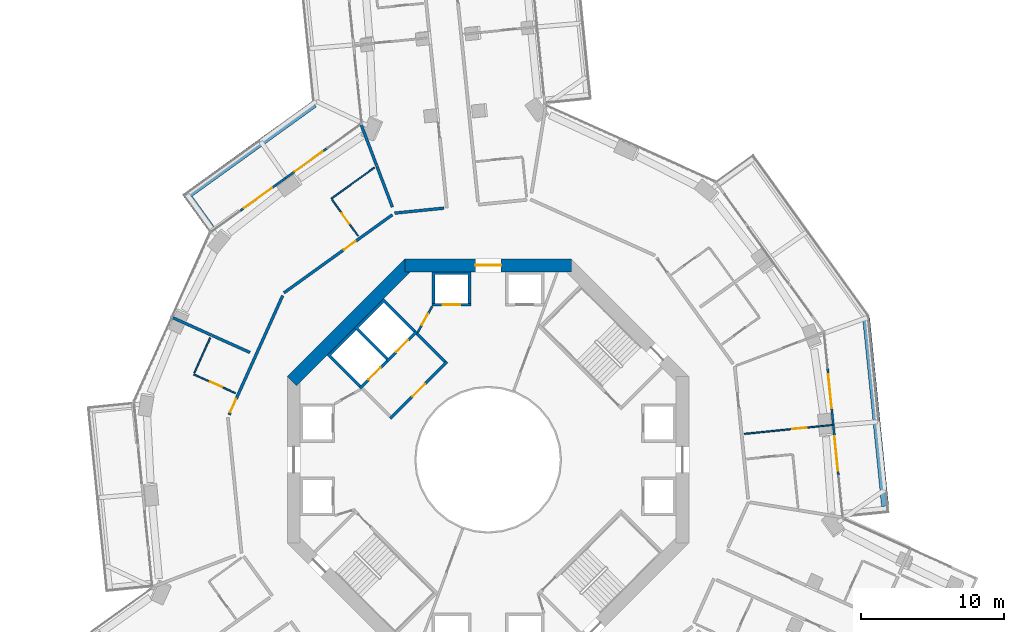
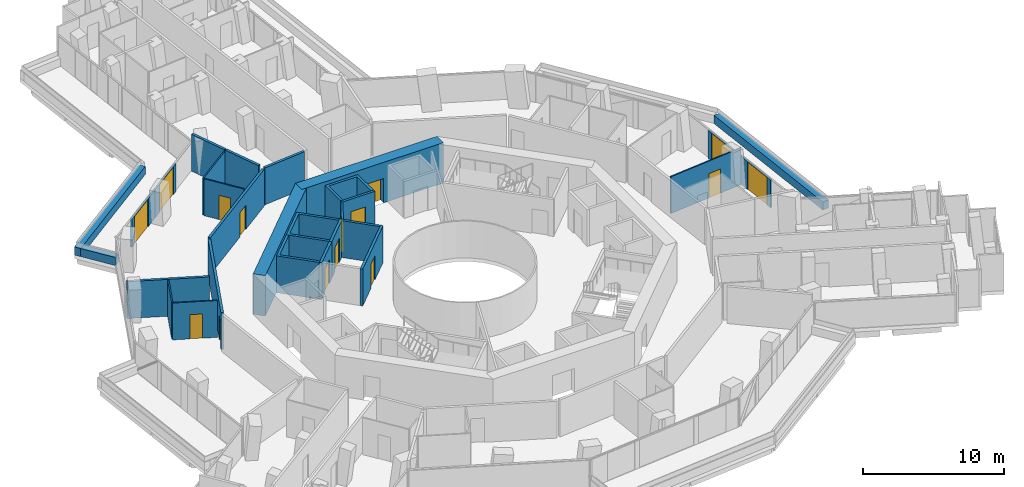
# One storey, part 21 of 26: 30 walls, 15 doors, 15 openings.
"""IFC4 building model written with IfcOpenShell, lengths in metres."""

from ifc_helpers import new_model, si_unit, direction, frame, frame_2d, origin, place, context, subcontext, project, spatial, polyline, rectangle, outline, extrude, material, layer, layer_set, type_object, element, fill, save


model = new_model("IFC4")

# Units and contexts
model_context = context("Model", 3, precision=1e-05, world=origin(), true_north=direction((0.0, 1.0)))
body_context = subcontext(model_context, "Body", "Model", "MODEL_VIEW")
ifc_project = project(units=[si_unit("LENGTHUNIT", "METRE"), si_unit("AREAUNIT", "SQUARE_METRE"), si_unit("VOLUMEUNIT", "CUBIC_METRE"), si_unit("PLANEANGLEUNIT", "RADIAN"), si_unit("MASSUNIT", "GRAM", prefix="KILO")], contexts=[model_context])

# Site, building, storey
site_placement = place(None, origin())
site = spatial("IfcSite", under=ifc_project, at=site_placement, CompositionType="ELEMENT")
building_placement = place(site_placement, origin())
building = spatial("IfcBuilding", under=site, at=building_placement, Name="Verdalira Terraces Hotel", CompositionType="ELEMENT")
storey_placement = place(building_placement, frame((0.0, 0.0, 56.5)))
storey = spatial("IfcBuildingStorey", under=building, at=storey_placement, Name="L12", CompositionType="ELEMENT", Elevation=56.5)

# Walls
ifc_material_1 = material(Name="Concrete C40", Category="concrete")
ifc_layer_1 = layer(ifc_material_1, 0.5)
ifc_layer_set_1 = layer_set([ifc_layer_1], Name="Balcony planter trough with tree")
wall_type_1 = type_object("IfcWallType", Name="Balcony planter trough with tree", PredefinedType="SOLIDWALL", material=ifc_layer_set_1)
wall_1_placement = place(storey_placement, frame((-12.125, 24.797607, 0.0), z_axis=(0.0, 0.0, 1.0), x_axis=(-0.811471638, -0.584391804, 0.0)))
element("IfcWall", 1, at=wall_1_placement, inside=storey, type_object=wall_type_1, Name="Balcony planter", PredefinedType="SOLIDWALL", context=body_context, shape_type="SweptSolid", body=[
    extrude(rectangle(XDim=11.152344, YDim=0.5, at=frame_2d((5.576172, 0.0))), origin(), (0.0, 0.0, 1.0), 0.699951),
])
wall_2_placement = place(storey_placement, frame((-20.825928, 18.223389, 0.0), z_axis=(0.0, 0.0, 1.0), x_axis=(0.584416714, -0.811453698, 0.0)))
element("IfcWall", 2, at=wall_2_placement, inside=storey, type_object=wall_type_1, Name="Balcony planter", PredefinedType="SOLIDWALL", context=body_context, shape_type="SweptSolid", body=[
    extrude(rectangle(XDim=2.698975, YDim=0.5, at=frame_2d((1.349609, 0.0))), origin(), (0.0, 0.0, 1.0), 0.699951),
])
wall_3_placement = place(storey_placement, frame((27.673096, -3.239014, 0.0), z_axis=(0.0, 0.0, 1.0), x_axis=(-0.100362834, 0.994950904, 0.0)))
element("IfcWall", 3, at=wall_3_placement, inside=storey, type_object=wall_type_1, Name="Balcony planter", PredefinedType="SOLIDWALL", context=body_context, shape_type="SweptSolid", body=[
    extrude(rectangle(XDim=13.223389, YDim=0.5, at=frame_2d((6.611816, 0.0))), origin(), (0.0, 0.0, 1.0), 0.699951),
])
ifc_material_2 = material(Name="Moisture-resistant gypsum board partition")
ifc_layer_2 = layer(ifc_material_2, 0.10009765625)
ifc_layer_set_2 = layer_set([ifc_layer_2], Name="Bathroom partition 100 mm")
wall_type_2 = type_object("IfcWallType", Name="Bathroom partition 100 mm", PredefinedType="PARTITIONING", material=ifc_layer_set_2)
wall_4_placement = place(storey_placement, frame((-20.483398, 6.04248, 0.0), z_axis=(0.0, 0.0, 1.0), x_axis=(0.410530105, 0.911847045, 0.0)))
element("IfcWall", 4, at=wall_4_placement, inside=storey, type_object=wall_type_2, Name="Bathroom partition", PredefinedType="PARTITIONING", context=body_context, shape_type="SweptSolid", body=[
    extrude(rectangle(XDim=2.699951, YDim=0.100098, at=frame_2d((1.350098, 0.0))), origin(), (0.0, 0.0, 1.0), 3.189941),
])

# Wall, opening, door
wall_5_placement = place(storey_placement, frame((-20.524658, 5.951416, 0.0), z_axis=(0.0, 0.0, 1.0), x_axis=(0.911818699, -0.410593059, 0.0)))
wall_5 = element("IfcWall", 5, at=wall_5_placement, inside=storey, type_object=wall_type_2, Name="Bathroom partition", PredefinedType="PARTITIONING", context=body_context, shape_type="SweptSolid", body=[
    extrude(rectangle(XDim=3.200195, YDim=0.100098, at=frame_2d((1.600098, 0.0))), origin(), (0.0, 0.0, 1.0), 3.189941),
])
opening_1_placement = place(wall_5_placement, frame((1.25, 0.0, 0.0)))
opening_1 = element("IfcOpeningElement", 6, at=opening_1_placement, cuts=wall_5, Name="Opening L12-115", PredefinedType="OPENING", context=body_context, shape_type="SweptSolid", body=[
    extrude(rectangle(XDim=0.899902, YDim=2.100098, at=frame_2d((0.449951, 1.050049))), frame((0.0, 0.060059, 0.0), z_axis=(0.0, -1.0, 0.0), x_axis=(1.0, 0.0, 0.0)), (0.0, 0.0, 1.0), 0.120117),
])
ifc_material_3 = material(Name="Timber door", Category="wood")
door_type_1 = type_object("IfcDoorType", Name="Bathroom door 900 x 2100", OperationType="NOTDEFINED", PredefinedType="DOOR", material=ifc_material_3)
door_1_placement = place(opening_1_placement, origin())
door_1 = element("IfcDoor", 7, at=door_1_placement, inside=storey, type_object=door_type_1, Name="Bathroom door 1205", OperationType="SINGLE_SWING_LEFT", OverallHeight=2.10009765625, OverallWidth=0.89990234375, PredefinedType="DOOR", context=body_context, shape_type="SweptSolid", body=[
    extrude(rectangle(XDim=0.899902, YDim=2.100098, at=frame_2d((0.449951, 1.050049))), frame((0.0, 0.024902, 0.0), z_axis=(0.0, -1.0, 0.0), x_axis=(1.0, 0.0, 0.0)), (0.0, 0.0, 1.0), 0.050049),
])
fill(opening_1, door_1)

wall_6_placement = place(storey_placement, frame((-10.879395, 18.115723, 0.0), z_axis=(0.0, 0.0, 1.0), x_axis=(0.584362816, -0.811492514, 0.0)))
wall_6 = element("IfcWall", 8, at=wall_6_placement, inside=storey, type_object=wall_type_2, Name="Bathroom partition", PredefinedType="PARTITIONING", context=body_context, shape_type="SweptSolid", body=[
    extrude(rectangle(XDim=3.100098, YDim=0.100098, at=frame_2d((1.550049, 0.0))), origin(), (0.0, 0.0, 1.0), 3.189941),
])
opening_2_placement = place(wall_6_placement, frame((1.149902, 0.0, 0.0)))
opening_2 = element("IfcOpeningElement", 9, at=opening_2_placement, cuts=wall_6, Name="Opening L12-113", PredefinedType="OPENING", context=body_context, shape_type="SweptSolid", body=[
    extrude(rectangle(XDim=0.899902, YDim=2.100098, at=frame_2d((0.449951, 1.050049))), frame((0.0, 0.060059, 0.0), z_axis=(0.0, -1.0, 0.0), x_axis=(1.0, 0.0, 0.0)), (0.0, 0.0, 1.0), 0.120117),
])
door_2_placement = place(opening_2_placement, origin())
door_2 = element("IfcDoor", 10, at=door_2_placement, inside=storey, type_object=door_type_1, Name="Bathroom door 1204", OperationType="SINGLE_SWING_LEFT", OverallHeight=2.10009765625, OverallWidth=0.89990234375, PredefinedType="DOOR", context=body_context, shape_type="SweptSolid", body=[
    extrude(rectangle(XDim=0.899902, YDim=2.100098, at=frame_2d((0.449951, 1.050049))), frame((0.0, 0.024902, 0.0), z_axis=(0.0, -1.0, 0.0), x_axis=(1.0, 0.0, 0.0)), (0.0, 0.0, 1.0), 0.050049),
])
fill(opening_2, door_2)

# Wall
wall_7_placement = place(storey_placement, frame((-10.937988, 18.197021, 0.0), z_axis=(0.0, 0.0, 1.0), x_axis=(0.811491834, 0.584363759, 0.0)))
element("IfcWall", 11, at=wall_7_placement, inside=storey, type_object=wall_type_2, Name="Bathroom partition", PredefinedType="PARTITIONING", context=body_context, shape_type="SweptSolid", body=[
    extrude(rectangle(XDim=3.704102, YDim=0.100098, at=frame_2d((1.852051, 0.0))), origin(), (0.0, 0.0, 1.0), 3.189941),
])

# Wall, opening, door
wall_8_placement = place(storey_placement, frame((23.986572, 2.419678, 0.0), z_axis=(0.0, 0.0, 1.0), x_axis=(-0.994947568, -0.100395898, 0.0)))
wall_8 = element("IfcWall", 12, at=wall_8_placement, inside=storey, type_object=wall_type_2, Name="Bathroom partition", PredefinedType="PARTITIONING", context=body_context, shape_type="SweptSolid", body=[
    extrude(rectangle(XDim=6.149902, YDim=0.100098, at=frame_2d((3.074951, 0.0))), origin(), (0.0, 0.0, 1.0), 3.189941),
])
opening_3_placement = place(wall_8_placement, frame((1.800049, 0.0, 0.0)))
opening_3 = element("IfcOpeningElement", 13, at=opening_3_placement, cuts=wall_8, Name="Opening L12-133", PredefinedType="OPENING", context=body_context, shape_type="SweptSolid", body=[
    extrude(rectangle(XDim=1.0, YDim=2.100098, at=frame_2d((0.5, 1.050049))), frame((0.0, 0.060059, 0.0), z_axis=(0.0, -1.0, 0.0), x_axis=(1.0, 0.0, 0.0)), (0.0, 0.0, 1.0), 0.120117),
])
ifc_material_4 = material(Name="Timber door", Category="wood")
door_type_2 = type_object("IfcDoorType", Name="Suite internal door 1000 x 2100", OperationType="NOTDEFINED", PredefinedType="DOOR", material=ifc_material_4)
door_3_placement = place(opening_3_placement, origin())
door_3 = element("IfcDoor", 14, at=door_3_placement, inside=storey, type_object=door_type_2, Name="Suite internal door 1214", OperationType="SINGLE_SWING_LEFT", OverallHeight=2.10009765625, OverallWidth=1.0, PredefinedType="DOOR", context=body_context, shape_type="SweptSolid", body=[
    extrude(rectangle(XDim=1.0, YDim=2.100098, at=frame_2d((0.5, 1.050049))), frame((0.0, 0.024902, 0.0), z_axis=(0.0, -1.0, 0.0), x_axis=(1.0, 0.0, 0.0)), (0.0, 0.0, 1.0), 0.050049),
])
fill(opening_3, door_3)

# Wall
ifc_material_5 = material(Name="Concrete C50", Category="concrete")
ifc_layer_3 = layer(ifc_material_5, 0.199951171875)
ifc_layer_set_3 = layer_set([ifc_layer_3], Name="Core RC wall 200 C50")
wall_type_3 = type_object("IfcWallType", Name="Core RC wall 200 C50", PredefinedType="SOLIDWALL", material=ifc_layer_set_3)
wall_9_placement = place(storey_placement, origin())
element("IfcWall", 15, at=wall_9_placement, inside=storey, type_object=wall_type_3, Name="L12 shaft wall N2", PredefinedType="SOLIDWALL", context=body_context, shape_type="SweptSolid", body=[
    extrude(outline(polyline([(-3.899902, 10.899902), (-3.899902, 13.100098), (-1.199951, 13.100098), (-1.199951, 10.899902), (-1.399902, 10.899902), (-1.399902, 12.899902), (-3.699951, 12.899902), (-3.699951, 10.899902), (-3.899902, 10.899902)])), origin(), (0.0, 0.0, 1.0), 3.189941),
])

# Wall, opening, door
wall_10_placement = place(storey_placement, frame((-1.199951, 10.800049, 0.0), z_axis=(0.0, 0.0, 1.0), x_axis=(-1.0, 0.0, 0.0)))
wall_10 = element("IfcWall", 16, at=wall_10_placement, inside=storey, type_object=wall_type_3, Name="L12 shaft front wall N2", PredefinedType="SOLIDWALL", context=body_context, shape_type="SweptSolid", body=[
    extrude(rectangle(XDim=2.699951, YDim=0.199951, at=frame_2d((1.350098, 0.0))), origin(), (0.0, 0.0, 1.0), 3.189941),
])
opening_4_placement = place(wall_10_placement, frame((0.75, 0.0, 0.0)))
opening_4 = element("IfcOpeningElement", 17, at=opening_4_placement, cuts=wall_10, Name="Opening LD-L12-804", PredefinedType="OPENING", context=body_context, shape_type="SweptSolid", body=[
    extrude(rectangle(XDim=1.199951, YDim=2.100098, at=frame_2d((0.600098, 1.050049))), frame((0.0, 0.109863, 0.0), z_axis=(0.0, -1.0, 0.0), x_axis=(1.0, 0.0, 0.0)), (0.0, 0.0, 1.0), 0.219971),
])
ifc_material_6 = material(Name="Stainless steel", Category="steel")
door_type_3 = type_object("IfcDoorType", Name="Landing door 1200 x 2100", OperationType="NOTDEFINED", PredefinedType="DOOR", material=ifc_material_6)
door_4_placement = place(opening_4_placement, origin())
door_4 = element("IfcDoor", 18, at=door_4_placement, inside=storey, type_object=door_type_3, Name="Lift landing door LR4 L12", OperationType="DOUBLE_DOOR_SLIDING", OverallHeight=2.10009765625, OverallWidth=1.199951171875, PredefinedType="DOOR", context=body_context, shape_type="SweptSolid", body=[
    extrude(rectangle(XDim=1.199951, YDim=2.100098, at=frame_2d((0.600098, 1.050049))), frame((0.0, 0.024902, 0.0), z_axis=(0.0, -1.0, 0.0), x_axis=(1.0, 0.0, 0.0)), (0.0, 0.0, 1.0), 0.050049),
])
fill(opening_4, door_4)

# Wall
wall_11_placement = place(storey_placement, origin())
element("IfcWall", 19, at=wall_11_placement, inside=storey, type_object=wall_type_3, Name="L12 shaft wall F1", PredefinedType="SOLIDWALL", context=body_context, shape_type="SweptSolid", body=[
    extrude(outline(polyline([(-9.33374, 9.192383), (-7.283203, 11.24292), (-5.055908, 9.015625), (-5.197266, 8.874268), (-7.283203, 10.960205), (-9.051025, 9.192383), (-6.965088, 7.106445), (-7.106445, 6.965088), (-9.33374, 9.192383)])), origin(), (0.0, 0.0, 1.0), 3.189941),
])

# Wall, opening, door
wall_12_placement = place(storey_placement, frame((-4.985107, 8.944824, 0.0), z_axis=(0.0, 0.0, 1.0), x_axis=(-0.707106781, -0.707106781, 0.0)))
wall_12 = element("IfcWall", 20, at=wall_12_placement, inside=storey, type_object=wall_type_3, Name="L12 shaft front wall F1", PredefinedType="SOLIDWALL", context=body_context, shape_type="SweptSolid", body=[
    extrude(rectangle(XDim=2.899902, YDim=0.199951, at=frame_2d((1.449951, 0.0))), origin(), (0.0, 0.0, 1.0), 3.189941),
])
opening_5_placement = place(wall_12_placement, frame((0.850098, 0.0, 0.0)))
opening_5 = element("IfcOpeningElement", 21, at=opening_5_placement, cuts=wall_12, Name="Opening LD-L12-807", PredefinedType="OPENING", context=body_context, shape_type="SweptSolid", body=[
    extrude(rectangle(XDim=1.199951, YDim=2.100098, at=frame_2d((0.600098, 1.050049))), frame((0.0, 0.109863, 0.0), z_axis=(0.0, -1.0, 0.0), x_axis=(1.0, 0.0, 0.0)), (0.0, 0.0, 1.0), 0.219971),
])
door_5_placement = place(opening_5_placement, origin())
door_5 = element("IfcDoor", 22, at=door_5_placement, inside=storey, type_object=door_type_3, Name="Lift landing door LF11 L12", OperationType="DOUBLE_DOOR_SLIDING", OverallHeight=2.10009765625, OverallWidth=1.199951171875, PredefinedType="DOOR", context=body_context, shape_type="SweptSolid", body=[
    extrude(rectangle(XDim=1.199951, YDim=2.100098, at=frame_2d((0.600098, 1.050049))), frame((0.0, 0.024902, 0.0), z_axis=(0.0, -1.0, 0.0), x_axis=(1.0, 0.0, 0.0)), (0.0, 0.0, 1.0), 0.050049),
])
fill(opening_5, door_5)

# Wall
wall_13_placement = place(storey_placement, origin())
element("IfcWall", 23, at=wall_13_placement, inside=storey, type_object=wall_type_3, Name="L12 shaft wall F2", PredefinedType="SOLIDWALL", context=body_context, shape_type="SweptSolid", body=[
    extrude(outline(polyline([(-11.24292, 7.283203), (-9.33374, 9.192383), (-9.192383, 9.051025), (-10.960205, 7.283203), (-8.874268, 5.197266), (-9.015625, 5.055908), (-11.24292, 7.283203)])), origin(), (0.0, 0.0, 1.0), 3.189941),
])

# Wall, opening, door
wall_14_placement = place(storey_placement, frame((-7.035645, 6.894287, 0.0), z_axis=(0.0, 0.0, 1.0), x_axis=(-0.707106781, -0.707106781, 0.0)))
wall_14 = element("IfcWall", 24, at=wall_14_placement, inside=storey, type_object=wall_type_3, Name="L12 shaft front wall F2", PredefinedType="SOLIDWALL", context=body_context, shape_type="SweptSolid", body=[
    extrude(rectangle(XDim=2.699951, YDim=0.199951, at=frame_2d((1.350098, 0.0))), origin(), (0.0, 0.0, 1.0), 3.189941),
])
opening_6_placement = place(wall_14_placement, frame((0.649902, 0.0, 0.0)))
opening_6 = element("IfcOpeningElement", 25, at=opening_6_placement, cuts=wall_14, Name="Opening LD-L12-808", PredefinedType="OPENING", context=body_context, shape_type="SweptSolid", body=[
    extrude(rectangle(XDim=1.199951, YDim=2.100098, at=frame_2d((0.600098, 1.050049))), frame((0.0, 0.109863, 0.0), z_axis=(0.0, -1.0, 0.0), x_axis=(1.0, 0.0, 0.0)), (0.0, 0.0, 1.0), 0.219971),
])
door_6_placement = place(opening_6_placement, origin())
door_6 = element("IfcDoor", 26, at=door_6_placement, inside=storey, type_object=door_type_3, Name="Lift landing door LF12 L12", OperationType="DOUBLE_DOOR_SLIDING", OverallHeight=2.10009765625, OverallWidth=1.199951171875, PredefinedType="DOOR", context=body_context, shape_type="SweptSolid", body=[
    extrude(rectangle(XDim=1.199951, YDim=2.100098, at=frame_2d((0.600098, 1.050049))), frame((0.0, 0.024902, 0.0), z_axis=(0.0, -1.0, 0.0), x_axis=(1.0, 0.0, 0.0)), (0.0, 0.0, 1.0), 0.050049),
])
fill(opening_6, door_6)

wall_15_placement = place(storey_placement, frame((-2.86377, 6.823486, 0.0), z_axis=(0.0, 0.0, 1.0), x_axis=(-0.707106781, -0.707106781, 0.0)))
wall_15 = element("IfcWall", 27, at=wall_15_placement, inside=storey, type_object=wall_type_3, Name="L12 fire lobby wall", PredefinedType="SOLIDWALL", context=body_context, shape_type="SweptSolid", body=[
    extrude(rectangle(XDim=5.599854, YDim=0.199951, at=frame_2d((2.799805, 0.0))), origin(), (0.0, 0.0, 1.0), 3.189941),
])
opening_7_placement = place(wall_15_placement, frame((2.199951, 0.0, 0.0)))
opening_7 = element("IfcOpeningElement", 28, at=opening_7_placement, cuts=wall_15, Name="Opening L12-819", PredefinedType="OPENING", context=body_context, shape_type="SweptSolid", body=[
    extrude(rectangle(XDim=1.199951, YDim=2.100098, at=frame_2d((0.600098, 1.050049))), frame((0.0, 0.109863, 0.0), z_axis=(0.0, -1.0, 0.0), x_axis=(1.0, 0.0, 0.0)), (0.0, 0.0, 1.0), 0.219971),
])
ifc_material_7 = material(Name="Steel fire door", Category="steel")
door_type_4 = type_object("IfcDoorType", Name="Lobby door 1200 x 2100", OperationType="NOTDEFINED", PredefinedType="DOOR", material=ifc_material_7)
door_7_placement = place(opening_7_placement, origin())
door_7 = element("IfcDoor", 29, at=door_7_placement, inside=storey, type_object=door_type_4, Name="Fire lobby door L12", OperationType="SINGLE_SWING_LEFT", OverallHeight=2.10009765625, OverallWidth=1.199951171875, PredefinedType="DOOR", context=body_context, shape_type="SweptSolid", body=[
    extrude(rectangle(XDim=1.199951, YDim=2.100098, at=frame_2d((0.600098, 1.050049))), frame((0.0, 0.024902, 0.0), z_axis=(0.0, -1.0, 0.0), x_axis=(1.0, 0.0, 0.0)), (0.0, 0.0, 1.0), 0.050049),
])
fill(opening_7, door_7)

# Wall
wall_16_placement = place(storey_placement, frame((-3.005127, 6.823486, 0.0), z_axis=(0.0, 0.0, 1.0), x_axis=(-0.707106781, 0.707106781, 0.0)))
element("IfcWall", 30, at=wall_16_placement, inside=storey, type_object=wall_type_3, Name="L12 fire lobby wall", PredefinedType="SOLIDWALL", context=body_context, shape_type="SweptSolid", body=[
    extrude(rectangle(XDim=2.800049, YDim=0.199951, at=frame_2d((1.399902, 0.0))), origin(), (0.0, 0.0, 1.0), 3.189941),
])

# Wall, opening, door
ifc_material_8 = material(Name="Gypsum board partition")
ifc_layer_4 = layer(ifc_material_8, 0.14990234375)
ifc_layer_set_4 = layer_set([ifc_layer_4], Name="Core partition 150 mm")
wall_type_4 = type_object("IfcWallType", Name="Core partition 150 mm", PredefinedType="PARTITIONING", material=ifc_layer_set_4)
wall_17_placement = place(storey_placement, frame((-3.899902, 10.699951, 0.0), z_axis=(0.0, 0.0, 1.0), x_axis=(-0.485692555, -0.874129705, 0.0)))
wall_17 = element("IfcWall", 31, at=wall_17_placement, inside=storey, type_object=wall_type_4, Name="Room partition L12", PredefinedType="PARTITIONING", context=body_context, shape_type="SweptSolid", body=[
    extrude(rectangle(XDim=2.088623, YDim=0.149902, at=frame_2d((1.044434, 0.0))), origin(), (0.0, 0.0, 1.0), 3.189941),
])
opening_8_placement = place(wall_17_placement, frame((0.594238, 0.0, 0.0)))
opening_8 = element("IfcOpeningElement", 32, at=opening_8_placement, cuts=wall_17, Name="Opening L12-820", PredefinedType="OPENING", context=body_context, shape_type="SweptSolid", body=[
    extrude(rectangle(XDim=0.899902, YDim=2.100098, at=frame_2d((0.449951, 1.050049))), frame((0.0, 0.084961, 0.0), z_axis=(0.0, -1.0, 0.0), x_axis=(1.0, 0.0, 0.0)), (0.0, 0.0, 1.0), 0.169922),
])
ifc_material_9 = material(Name="Steel fire door", Category="steel")
door_type_5 = type_object("IfcDoorType", Name="Core room door 900 x 2100", OperationType="NOTDEFINED", PredefinedType="DOOR", material=ifc_material_9)
door_8_placement = place(opening_8_placement, origin())
door_8 = element("IfcDoor", 33, at=door_8_placement, inside=storey, type_object=door_type_5, Name="Door L12 room2", OperationType="SINGLE_SWING_LEFT", OverallHeight=2.10009765625, OverallWidth=0.89990234375, PredefinedType="DOOR", context=body_context, shape_type="SweptSolid", body=[
    extrude(rectangle(XDim=0.899902, YDim=2.100098, at=frame_2d((0.449951, 1.050049))), frame((0.0, 0.024902, 0.0), z_axis=(0.0, -1.0, 0.0), x_axis=(1.0, 0.0, 0.0)), (0.0, 0.0, 1.0), 0.050049),
])
fill(opening_8, door_8)

ifc_material_10 = material(Name="Concrete C70", Category="concrete")
ifc_layer_5 = layer(ifc_material_10, 0.89990234375)
ifc_layer_set_5 = layer_set([ifc_layer_5], Name="Core wall 900 C70")
wall_type_5 = type_object("IfcWallType", Name="Core wall 900 C70", PredefinedType="SHEAR", material=ifc_layer_set_5)
wall_18_placement = place(storey_placement, frame((5.799072, 13.550049, 0.0), z_axis=(0.0, 0.0, 1.0), x_axis=(-1.0, 0.0, 0.0)))
wall_18 = element("IfcWall", 34, at=wall_18_placement, inside=storey, type_object=wall_type_5, Name="Core wall CW-L12-3", PredefinedType="SHEAR", context=body_context, shape_type="SweptSolid", body=[
    extrude(rectangle(XDim=11.598145, YDim=0.899902, at=frame_2d((5.799072, 0.0))), origin(), (0.0, 0.0, 1.0), 3.5),
])
opening_9_placement = place(wall_18_placement, frame((4.898926, 0.0, 0.0)))
opening_9 = element("IfcOpeningElement", 35, at=opening_9_placement, cuts=wall_18, Name="Opening L12-813", PredefinedType="OPENING", context=body_context, shape_type="SweptSolid", body=[
    extrude(rectangle(XDim=1.800049, YDim=2.100098, at=frame_2d((0.899902, 1.050049))), frame((0.0, 0.459961, 0.0), z_axis=(0.0, -1.0, 0.0), x_axis=(1.0, 0.0, 0.0)), (0.0, 0.0, 1.0), 0.919922),
])
ifc_material_11 = material(Name="Steel fire door", Category="steel")
door_type_6 = type_object("IfcDoorType", Name="Core entry door pair 1800 x 2100", OperationType="NOTDEFINED", PredefinedType="DOOR", material=ifc_material_11)
door_9_placement = place(opening_9_placement, origin())
door_9 = element("IfcDoor", 36, at=door_9_placement, inside=storey, type_object=door_type_6, Name="Core entry door L12 2", OperationType="DOUBLE_DOOR_SINGLE_SWING", OverallHeight=2.10009765625, OverallWidth=1.800048828125, PredefinedType="DOOR", context=body_context, shape_type="SweptSolid", body=[
    extrude(rectangle(XDim=1.800049, YDim=2.100098, at=frame_2d((0.899902, 1.050049))), frame((0.0, 0.024902, 0.0), z_axis=(0.0, -1.0, 0.0), x_axis=(1.0, 0.0, 0.0)), (0.0, 0.0, 1.0), 0.050049),
])
fill(opening_9, door_9)

# Walls
wall_19_placement = place(storey_placement, frame((-5.480713, 13.681885, 0.0), z_axis=(0.0, 0.0, 1.0), x_axis=(-0.707106781, -0.707106781, 0.0)))
element("IfcWall", 37, at=wall_19_placement, inside=storey, type_object=wall_type_5, Name="Core wall CW-L12-4", PredefinedType="SHEAR", context=body_context, shape_type="SweptSolid", body=[
    extrude(rectangle(XDim=11.598145, YDim=0.899902, at=frame_2d((5.799072, 0.0))), origin(), (0.0, 0.0, 1.0), 3.5),
])
ifc_material_12 = material(Name="Fire-rated gypsum board wall")
ifc_layer_6 = layer(ifc_material_12, 0.199951171875)
ifc_layer_set_6 = layer_set([ifc_layer_6], Name="Demising wall 200 mm")
wall_type_6 = type_object("IfcWallType", Name="Demising wall 200 mm", PredefinedType="SOLIDWALL", material=ifc_layer_set_6)
wall_20_placement = place(storey_placement, frame((-19.291016, 8.685791, 0.0), z_axis=(0.0, 0.0, 1.0), x_axis=(-0.911805409, 0.410622572, 0.0)))
element("IfcWall", 38, at=wall_20_placement, inside=storey, type_object=wall_type_6, Name="Demising wall", PredefinedType="SOLIDWALL", context=body_context, shape_type="SweptSolid", body=[
    extrude(rectangle(XDim=2.951904, YDim=0.199951, at=frame_2d((1.476074, 0.0))), origin(), (0.0, 0.0, 1.0), 3.189941),
])
wall_21_placement = place(storey_placement, frame((-16.600586, 7.474609, 0.0), z_axis=(0.0, 0.0, 1.0), x_axis=(-0.911845996, 0.410532434, 0.0)))
element("IfcWall", 39, at=wall_21_placement, inside=storey, type_object=wall_type_6, Name="Demising wall", PredefinedType="SOLIDWALL", context=body_context, shape_type="SweptSolid", body=[
    extrude(rectangle(XDim=2.904541, YDim=0.199951, at=frame_2d((1.452148, 0.0))), origin(), (0.0, 0.0, 1.0), 3.189941),
])
wall_22_placement = place(storey_placement, frame((-7.78125, 20.527344, 0.0), z_axis=(0.0, 0.0, 1.0), x_axis=(-0.354444046, 0.935077226, 0.0)))
element("IfcWall", 40, at=wall_22_placement, inside=storey, type_object=wall_type_6, Name="Demising wall", PredefinedType="SOLIDWALL", context=body_context, shape_type="SweptSolid", body=[
    extrude(rectangle(XDim=3.011475, YDim=0.199951, at=frame_2d((1.505859, 0.0))), origin(), (0.0, 0.0, 1.0), 3.189941),
])
wall_23_placement = place(storey_placement, frame((-6.675049, 17.609375, 0.0), z_axis=(0.0, 0.0, 1.0), x_axis=(-0.354462731, 0.935070143, 0.0)))
element("IfcWall", 41, at=wall_23_placement, inside=storey, type_object=wall_type_6, Name="Demising wall", PredefinedType="SOLIDWALL", context=body_context, shape_type="SweptSolid", body=[
    extrude(rectangle(XDim=3.074707, YDim=0.199951, at=frame_2d((1.537354, 0.0))), origin(), (0.0, 0.0, 1.0), 3.189941),
])

# Wall, opening, door
ifc_material_13 = material(Name="Fire-rated gypsum board wall")
ifc_layer_7 = layer(ifc_material_13, 0.199951171875)
ifc_layer_set_7 = layer_set([ifc_layer_7], Name="Guest corridor wall 200 mm")
wall_type_7 = type_object("IfcWallType", Name="Guest corridor wall 200 mm", PredefinedType="SOLIDWALL", material=ifc_layer_set_7)
wall_24_placement = place(storey_placement, frame((-18.063965, 3.13501, 0.0), z_axis=(0.0, 0.0, 1.0), x_axis=(0.410581824, 0.911823758, 0.0)))
wall_24 = element("IfcWall", 42, at=wall_24_placement, inside=storey, type_object=wall_type_7, Name="Guest corridor wall", PredefinedType="SOLIDWALL", context=body_context, shape_type="SweptSolid", body=[
    extrude(rectangle(XDim=9.115479, YDim=0.199951, at=frame_2d((4.557617, 0.0))), origin(), (0.0, 0.0, 1.0), 3.189941),
])
opening_10_placement = place(wall_24_placement, frame((0.199951, 0.0, 0.0)))
opening_10 = element("IfcOpeningElement", 43, at=opening_10_placement, cuts=wall_24, Name="Opening L12-114", PredefinedType="OPENING", context=body_context, shape_type="SweptSolid", body=[
    extrude(rectangle(XDim=1.0, YDim=2.100098, at=frame_2d((0.5, 1.050049))), frame((0.0, 0.109863, 0.0), z_axis=(0.0, -1.0, 0.0), x_axis=(1.0, 0.0, 0.0)), (0.0, 0.0, 1.0), 0.219971),
])
ifc_material_14 = material(Name="Timber fire door", Category="wood")
door_type_7 = type_object("IfcDoorType", Name="Guest entry door 1000 x 2100", OperationType="NOTDEFINED", PredefinedType="DOOR", material=ifc_material_14)
door_10_placement = place(opening_10_placement, origin())
door_10 = element("IfcDoor", 44, at=door_10_placement, inside=storey, type_object=door_type_7, Name="Guest entry door 1205", OperationType="SINGLE_SWING_LEFT", OverallHeight=2.10009765625, OverallWidth=1.0, PredefinedType="DOOR", context=body_context, shape_type="SweptSolid", body=[
    extrude(rectangle(XDim=1.0, YDim=2.100098, at=frame_2d((0.5, 1.050049))), frame((0.0, 0.024902, 0.0), z_axis=(0.0, -1.0, 0.0), x_axis=(1.0, 0.0, 0.0)), (0.0, 0.0, 1.0), 0.050049),
])
fill(opening_10, door_10)

wall_25_placement = place(storey_placement, frame((-14.238525, 11.629883, 0.0), z_axis=(0.0, 0.0, 1.0), x_axis=(0.811460769, 0.584406897, 0.0)))
wall_25 = element("IfcWall", 45, at=wall_25_placement, inside=storey, type_object=wall_type_7, Name="Guest corridor wall", PredefinedType="SOLIDWALL", context=body_context, shape_type="SweptSolid", body=[
    extrude(rectangle(XDim=9.315918, YDim=0.199951, at=frame_2d((4.657959, 0.0))), origin(), (0.0, 0.0, 1.0), 3.189941),
])
opening_11_placement = place(wall_25_placement, frame((5.149902, 0.0, 0.0)))
opening_11 = element("IfcOpeningElement", 46, at=opening_11_placement, cuts=wall_25, Name="Opening L12-112", PredefinedType="OPENING", context=body_context, shape_type="SweptSolid", body=[
    extrude(rectangle(XDim=1.0, YDim=2.100098, at=frame_2d((0.5, 1.050049))), frame((0.0, 0.109863, 0.0), z_axis=(0.0, -1.0, 0.0), x_axis=(1.0, 0.0, 0.0)), (0.0, 0.0, 1.0), 0.219971),
])
door_11_placement = place(opening_11_placement, origin())
door_11 = element("IfcDoor", 47, at=door_11_placement, inside=storey, type_object=door_type_7, Name="Guest entry door 1204", OperationType="SINGLE_SWING_LEFT", OverallHeight=2.10009765625, OverallWidth=1.0, PredefinedType="DOOR", context=body_context, shape_type="SweptSolid", body=[
    extrude(rectangle(XDim=1.0, YDim=2.100098, at=frame_2d((0.5, 1.050049))), frame((0.0, 0.024902, 0.0), z_axis=(0.0, -1.0, 0.0), x_axis=(1.0, 0.0, 0.0)), (0.0, 0.0, 1.0), 0.050049),
])
fill(opening_11, door_11)

# Wall
wall_26_placement = place(storey_placement, frame((-3.075684, 17.538086, 0.0), z_axis=(0.0, 0.0, 1.0), x_axis=(-0.994955781, -0.100314472, 0.0)))
element("IfcWall", 48, at=wall_26_placement, inside=storey, type_object=wall_type_7, Name="Guest corridor wall", PredefinedType="SOLIDWALL", context=body_context, shape_type="SweptSolid", body=[
    extrude(rectangle(XDim=3.458252, YDim=0.199951, at=frame_2d((1.729004, 0.0))), origin(), (0.0, 0.0, 1.0), 3.189941),
])

# Wall, opening, door
ifc_material_15 = material(Name="Terracotta cladding", Category="masonry")
ifc_layer_8 = layer(ifc_material_15, 0.14990234375)
ifc_layer_set_8 = layer_set([ifc_layer_8], Name="Terracotta door pier 150")
wall_type_8 = type_object("IfcWallType", Name="Terracotta door pier 150", PredefinedType="SOLIDWALL", material=ifc_layer_set_8)
wall_27_placement = place(storey_placement, frame((-11.211182, 21.727783, 0.0), z_axis=(0.0, 0.0, 1.0), x_axis=(-0.811486746, -0.584370825, 0.0)))
wall_27 = element("IfcWall", 49, at=wall_27_placement, inside=storey, type_object=wall_type_8, Name="Terracotta door pier", PredefinedType="SOLIDWALL", context=body_context, shape_type="SweptSolid", body=[
    extrude(rectangle(XDim=3.600098, YDim=0.149902, at=frame_2d((1.800049, 0.0))), origin(), (0.0, 0.0, 1.0), 2.425049),
])
opening_12_placement = place(wall_27_placement, frame((0.399902, 0.0, 0.0)))
opening_12 = element("IfcOpeningElement", 50, at=opening_12_placement, cuts=wall_27, Name="Opening L12-B07", PredefinedType="OPENING", context=body_context, shape_type="SweptSolid", body=[
    extrude(rectangle(XDim=2.399902, YDim=2.399902, at=frame_2d((1.199951, 1.199951))), frame((0.0, 0.084961, 0.0), z_axis=(0.0, -1.0, 0.0), x_axis=(1.0, 0.0, 0.0)), (0.0, 0.0, 1.0), 0.169922),
])
ifc_material_16 = material(Name="Clear glass", Category="glass")
door_type_8 = type_object("IfcDoorType", Name="Balcony sliding door 2400x2400", OperationType="NOTDEFINED", PredefinedType="DOOR", material=ifc_material_16)
door_12_placement = place(opening_12_placement, origin())
door_12 = element("IfcDoor", 51, at=door_12_placement, inside=storey, type_object=door_type_8, Name="Balcony sliding door", OperationType="SLIDING_TO_RIGHT", OverallHeight=2.39990234375, OverallWidth=2.39990234375, PredefinedType="DOOR", context=body_context, shape_type="SweptSolid", body=[
    extrude(rectangle(XDim=2.399902, YDim=2.399902, at=frame_2d((1.199951, 1.199951))), frame((0.0, 0.024902, 0.0), z_axis=(0.0, -1.0, 0.0), x_axis=(1.0, 0.0, 0.0)), (0.0, 0.0, 1.0), 0.050049),
])
fill(opening_12, door_12)

wall_28_placement = place(storey_placement, frame((-14.132568, 19.624023, 0.0), z_axis=(0.0, 0.0, 1.0), x_axis=(-0.811478215, -0.584382671, 0.0)))
wall_28 = element("IfcWall", 52, at=wall_28_placement, inside=storey, type_object=wall_type_8, Name="Terracotta door pier", PredefinedType="SOLIDWALL", context=body_context, shape_type="SweptSolid", body=[
    extrude(rectangle(XDim=3.960449, YDim=0.149902, at=frame_2d((1.980225, 0.0))), origin(), (0.0, 0.0, 1.0), 2.425049),
])
opening_13_placement = place(wall_28_placement, frame((1.1604, 0.0, 0.0)))
opening_13 = element("IfcOpeningElement", 53, at=opening_13_placement, cuts=wall_28, Name="Opening L12-B08", PredefinedType="OPENING", context=body_context, shape_type="SweptSolid", body=[
    extrude(rectangle(XDim=2.399902, YDim=2.399902, at=frame_2d((1.199951, 1.199951))), frame((0.0, 0.084961, 0.0), z_axis=(0.0, -1.0, 0.0), x_axis=(1.0, 0.0, 0.0)), (0.0, 0.0, 1.0), 0.169922),
])
door_13_placement = place(opening_13_placement, origin())
door_13 = element("IfcDoor", 54, at=door_13_placement, inside=storey, type_object=door_type_8, Name="Balcony sliding door", OperationType="SLIDING_TO_LEFT", OverallHeight=2.39990234375, OverallWidth=2.39990234375, PredefinedType="DOOR", context=body_context, shape_type="SweptSolid", body=[
    extrude(rectangle(XDim=2.399902, YDim=2.399902, at=frame_2d((1.199951, 1.199951))), frame((0.0, 0.024902, 0.0), z_axis=(0.0, -1.0, 0.0), x_axis=(1.0, 0.0, 0.0)), (0.0, 0.0, 1.0), 0.050049),
])
fill(opening_13, door_13)

wall_29_placement = place(storey_placement, frame((24.422607, -1.154785, 0.0), z_axis=(0.0, 0.0, 1.0), x_axis=(-0.100369865, 0.994950195, 0.0)))
wall_29 = element("IfcWall", 55, at=wall_29_placement, inside=storey, type_object=wall_type_8, Name="Terracotta door pier", PredefinedType="SOLIDWALL", context=body_context, shape_type="SweptSolid", body=[
    extrude(rectangle(XDim=3.599854, YDim=0.149902, at=frame_2d((1.799805, 0.0))), origin(), (0.0, 0.0, 1.0), 2.425049),
])
opening_14_placement = place(wall_29_placement, frame((0.399902, 0.0, 0.0)))
opening_14 = element("IfcOpeningElement", 56, at=opening_14_placement, cuts=wall_29, Name="Opening L12-B15", PredefinedType="OPENING", context=body_context, shape_type="SweptSolid", body=[
    extrude(rectangle(XDim=2.399902, YDim=2.399902, at=frame_2d((1.199951, 1.199951))), frame((0.0, 0.084961, 0.0), z_axis=(0.0, -1.0, 0.0), x_axis=(1.0, 0.0, 0.0)), (0.0, 0.0, 1.0), 0.169922),
])
door_14_placement = place(opening_14_placement, origin())
door_14 = element("IfcDoor", 57, at=door_14_placement, inside=storey, type_object=door_type_8, Name="Balcony sliding door", OperationType="SLIDING_TO_RIGHT", OverallHeight=2.39990234375, OverallWidth=2.39990234375, PredefinedType="DOOR", context=body_context, shape_type="SweptSolid", body=[
    extrude(rectangle(XDim=2.399902, YDim=2.399902, at=frame_2d((1.199951, 1.199951))), frame((0.0, 0.024902, 0.0), z_axis=(0.0, -1.0, 0.0), x_axis=(1.0, 0.0, 0.0)), (0.0, 0.0, 1.0), 0.050049),
])
fill(opening_14, door_14)

wall_30_placement = place(storey_placement, frame((24.061279, 2.427002, 0.0), z_axis=(0.0, 0.0, 1.0), x_axis=(-0.100352013, 0.994951996, 0.0)))
wall_30 = element("IfcWall", 58, at=wall_30_placement, inside=storey, type_object=wall_type_8, Name="Terracotta door pier", PredefinedType="SOLIDWALL", context=body_context, shape_type="SweptSolid", body=[
    extrude(rectangle(XDim=3.960693, YDim=0.149902, at=frame_2d((1.980469, 0.0))), origin(), (0.0, 0.0, 1.0), 2.425049),
])
opening_15_placement = place(wall_30_placement, frame((1.1604, 0.0, 0.0)))
opening_15 = element("IfcOpeningElement", 59, at=opening_15_placement, cuts=wall_30, Name="Opening L12-B16", PredefinedType="OPENING", context=body_context, shape_type="SweptSolid", body=[
    extrude(rectangle(XDim=2.399902, YDim=2.399902, at=frame_2d((1.199951, 1.199951))), frame((0.0, 0.084961, 0.0), z_axis=(0.0, -1.0, 0.0), x_axis=(1.0, 0.0, 0.0)), (0.0, 0.0, 1.0), 0.169922),
])
door_15_placement = place(opening_15_placement, origin())
door_15 = element("IfcDoor", 60, at=door_15_placement, inside=storey, type_object=door_type_8, Name="Balcony sliding door", OperationType="SLIDING_TO_LEFT", OverallHeight=2.39990234375, OverallWidth=2.39990234375, PredefinedType="DOOR", context=body_context, shape_type="SweptSolid", body=[
    extrude(rectangle(XDim=2.399902, YDim=2.399902, at=frame_2d((1.199951, 1.199951))), frame((0.0, 0.024902, 0.0), z_axis=(0.0, -1.0, 0.0), x_axis=(1.0, 0.0, 0.0)), (0.0, 0.0, 1.0), 0.050049),
])
fill(opening_15, door_15)

save(model, "model.ifc")
